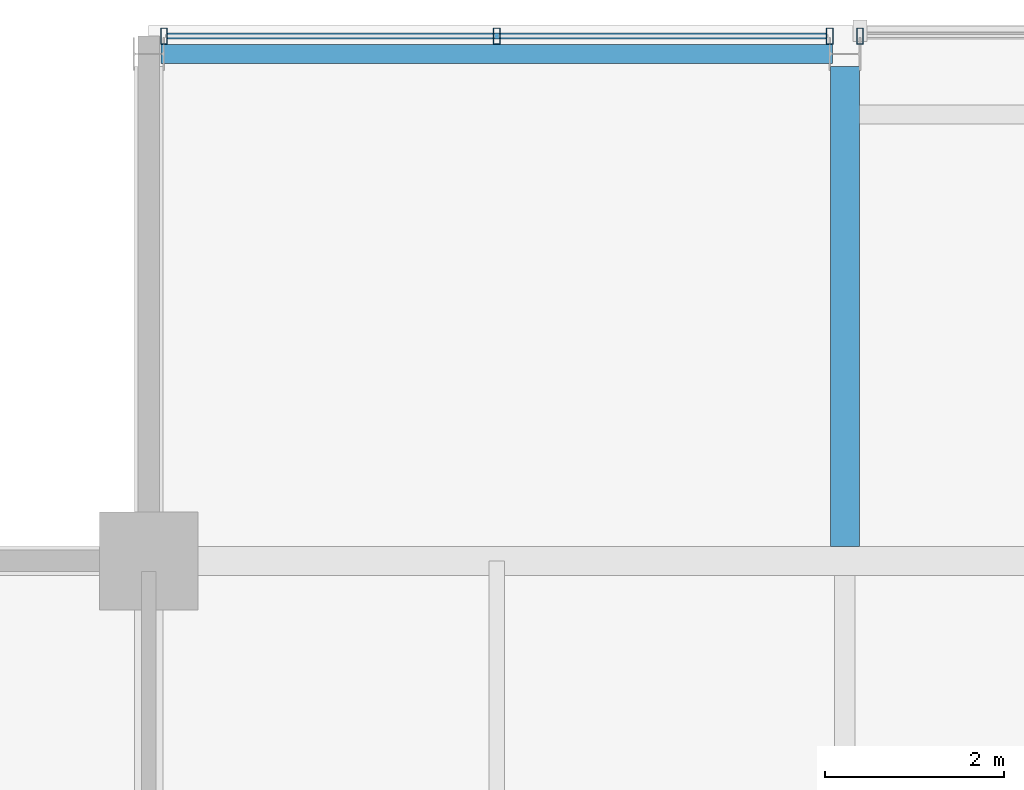
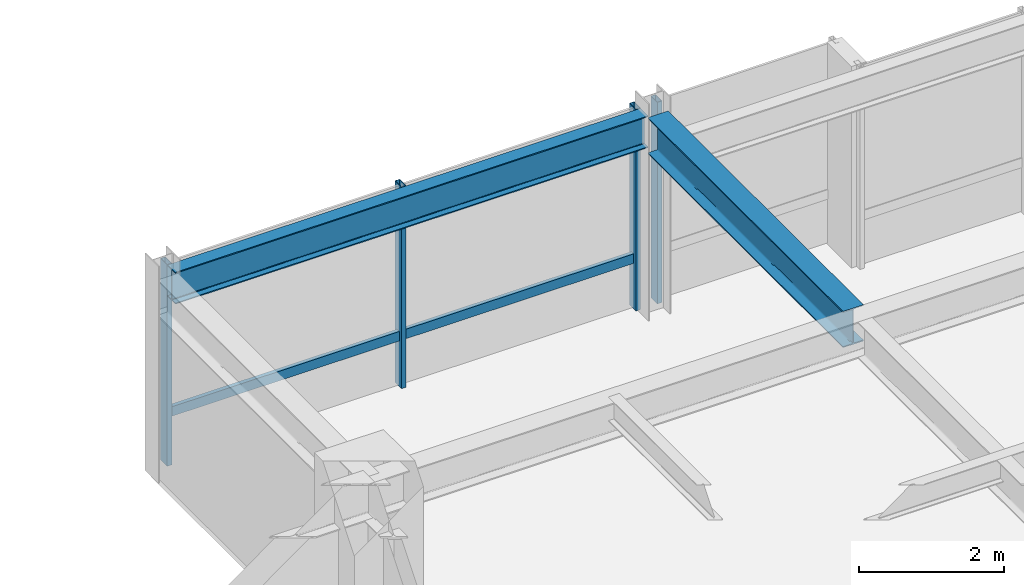
# One storey, part 21 of 33: 5 members, 2 beams, 2 elements without a shape of their own.
"""IFC4 building model written with IfcOpenShell, lengths in metres."""

from ifc_helpers import new_model, si_unit, direction, frame, origin, origin_2d, place, context, subcontext, project, spatial, hollow_rectangle, i_section, extrude, material, layer, layer_set, material_profile, profile_set, type_object, element, aggregate, save


model = new_model("IFC4")

# Units and contexts
model_context = context("Model", 3, precision=1e-05, world=origin(), true_north=direction((0.0, 1.0)))
body_context = subcontext(model_context, "Body", "Model", "MODEL_VIEW")
ifc_project = project(units=[si_unit("LENGTHUNIT", "METRE"), si_unit("AREAUNIT", "SQUARE_METRE"), si_unit("VOLUMEUNIT", "CUBIC_METRE"), si_unit("PLANEANGLEUNIT", "RADIAN"), si_unit("MASSUNIT", "GRAM", prefix="KILO")], contexts=[model_context])

# Site, building, storey
site_placement = place(None, origin())
site = spatial("IfcSite", under=ifc_project, at=site_placement, CompositionType="ELEMENT")
building_placement = place(site_placement, origin())
building = spatial("IfcBuilding", under=site, at=building_placement, Name="Drelvath Grand Hotel", CompositionType="ELEMENT")
storey_placement = place(building_placement, frame((0.0, 0.0, 275.949951171875)))
storey = spatial("IfcBuildingStorey", under=building, at=storey_placement, Name="L72", CompositionType="ELEMENT", Elevation=275.949951171875)

# Curtain wall, members
ifc_material_1 = material(Name="Platinum-Mist Anodised Aluminium Frame", Category="aluminium")
ifc_layer = layer(ifc_material_1, 0.199951171875)
ifc_layer_set = layer_set([ifc_layer], Name="Platinum-Mist Anodised Aluminium Frame")
curtain_wall_type = type_object("IfcCurtainWallType", Name="Stick Curtain Wall CW-05 Platinum Mist High-Rise", PredefinedType="NOTDEFINED", material=ifc_layer_set)
curtain_wall_1_placement = place(storey_placement, origin())
curtain_wall_1 = element("IfcCurtainWall", 1, at=curtain_wall_1_placement, inside=storey, type_object=curtain_wall_type, Name="L72 CW-05 Curtain Wall CW05-L72-NW1", PredefinedType="NOTDEFINED")
ifc_material_profile_1 = material_profile(ifc_material_1, hollow_rectangle(XDim=0.06494140625, YDim=0.159912109375, WallThickness=0.00390625, at=origin_2d()), Name="HSS160X65X4")
ifc_profile_set_1 = profile_set([ifc_material_profile_1], Name="Platinum-Mist Anodised Aluminium Frame")
member_type_1 = type_object("IfcMemberType", Name="Curtain Wall Horizontal Transom CW-05 HSS160X65X4", PredefinedType="USERDEFINED", material=ifc_profile_set_1)
member_1_placement = place(storey_placement, frame((-15.989990234375, 49.080078125, 0.84765625), z_axis=(1.0, 0.0, 0.0), x_axis=(0.0, 1.0, 0.0)))
member_1 = element("IfcMember", 2, at=member_1_placement, type_object=member_type_1, Name="CW05-L72-NW1 Sill Transom", ObjectType="TRANSOM", PredefinedType="USERDEFINED", context=body_context, shape_type="SweptSolid", body=[
    extrude(hollow_rectangle(XDim=0.06494140625, YDim=0.159912109375, WallThickness=0.00390625, at=origin_2d()), origin(), (0.0, 0.0, 1.0), 7.3798828125),
])
ifc_material_profile_2 = material_profile(ifc_material_1, hollow_rectangle(XDim=0.074951171875, YDim=0.179931640625, WallThickness=0.0048828125, at=origin_2d()), Name="HSS180X75X5")
ifc_profile_set_2 = profile_set([ifc_material_profile_2], Name="Platinum-Mist Anodised Aluminium Frame")
member_type_2 = type_object("IfcMemberType", Name="Curtain Wall Vertical Mullion CW-05 HSS180X75X5", PredefinedType="MULLION", material=ifc_profile_set_2)
member_2_placement = place(storey_placement, frame((-16.02978515625, 49.080078125, 0.0), z_axis=(0.0, 0.0, 1.0), x_axis=(1.0, 0.0, 0.0)))
member_2 = element("IfcMember", 3, at=member_2_placement, type_object=member_type_2, Name="CW05-L72-NW1 Mullion 1", PredefinedType="MULLION", context=body_context, shape_type="SweptSolid", body=[
    extrude(hollow_rectangle(XDim=0.074951171875, YDim=0.179931640625, WallThickness=0.0048828125, at=origin_2d()), origin(), (0.0, 0.0, 1.0), 3.39013671875),
])
member_3_placement = place(storey_placement, frame((-12.300048828125, 49.080078125, 0.0), z_axis=(0.0, 0.0, 1.0), x_axis=(1.0, 0.0, 0.0)))
member_3 = element("IfcMember", 4, at=member_3_placement, type_object=member_type_2, Name="CW05-L72-NW1 Mullion 2", PredefinedType="MULLION", context=body_context, shape_type="SweptSolid", body=[
    extrude(hollow_rectangle(XDim=0.074951171875, YDim=0.179931640625, WallThickness=0.0048828125, at=origin_2d()), origin(), (0.0, 0.0, 1.0), 3.39013671875),
])
member_4_placement = place(storey_placement, frame((-8.570068359375, 49.080078125, 0.0), z_axis=(0.0, 0.0, 1.0), x_axis=(1.0, 0.0, 0.0)))
member_4 = element("IfcMember", 5, at=member_4_placement, type_object=member_type_2, Name="CW05-L72-NW1 Mullion 3", PredefinedType="MULLION", context=body_context, shape_type="SweptSolid", body=[
    extrude(hollow_rectangle(XDim=0.074951171875, YDim=0.179931640625, WallThickness=0.0048828125, at=origin_2d()), origin(), (0.0, 0.0, 1.0), 3.39013671875),
])
aggregate(curtain_wall_1, [member_2, member_3, member_4, member_1])

# Curtain wall, member
curtain_wall_2_placement = place(storey_placement, origin())
curtain_wall_2 = element("IfcCurtainWall", 6, at=curtain_wall_2_placement, inside=storey, type_object=curtain_wall_type, Name="L72 CW-05 Curtain Wall CW05-L72-NW2", PredefinedType="NOTDEFINED")
member_5_placement = place(storey_placement, frame((-8.22998046875, 49.080078125, 0.0), z_axis=(0.0, 0.0, 1.0), x_axis=(1.0, 0.0, 0.0)))
member_5 = element("IfcMember", 7, at=member_5_placement, type_object=member_type_2, Name="CW05-L72-NW2 Mullion 1", PredefinedType="MULLION", context=body_context, shape_type="SweptSolid", body=[
    extrude(hollow_rectangle(XDim=0.074951171875, YDim=0.179931640625, WallThickness=0.0048828125, at=origin_2d()), origin(), (0.0, 0.0, 1.0), 3.39013671875),
])
aggregate(curtain_wall_2, [member_5])

# Beams
ifc_material_2 = material(Name="Steel ASTM A992 Gr 50", Category="steel")
ifc_material_profile_3 = material_profile(ifc_material_2, i_section(OverallWidth=0.210205078125, OverallDepth=0.53662109375, WebThickness=0.010986328125, FlangeThickness=0.017333984375, FilletRadius=0.01806640625, at=origin_2d()), Name="W21X68")
ifc_profile_set_3 = profile_set([ifc_material_profile_3], Name="Steel ASTM A992 Gr 50")
beam_type_1 = type_object("IfcBeamType", Name="Perimeter Spandrel Beam W21X68", PredefinedType="SPANDREL", material=ifc_profile_set_3)
beam_1_placement = place(storey_placement, frame((-16.06005859375, 48.8798828125, 3.12158203125), z_axis=(1.0, 0.0, 0.0), x_axis=(0.0, 1.0, 0.0)))
element("IfcBeam", 8, at=beam_1_placement, inside=storey, type_object=beam_type_1, Name="L72 Spandrel North W", PredefinedType="SPANDREL", context=body_context, shape_type="SweptSolid", body=[
    extrude(i_section(OverallWidth=0.210205078125, OverallDepth=0.53662109375, WebThickness=0.010986328125, FlangeThickness=0.017333984375, FilletRadius=0.01806640625, at=origin_2d()), origin(), (0.0, 0.0, 1.0), 7.52001953125),
])
ifc_material_profile_4 = material_profile(ifc_material_2, i_section(OverallWidth=0.323974609375, OverallDepth=0.611083984375, WebThickness=0.0126953125, FlangeThickness=0.01904296875, FilletRadius=0.02197265625, at=origin_2d()), Name="W24X104")
ifc_profile_set_4 = profile_set([ifc_material_profile_4], Name="Steel ASTM A992 Gr 50")
beam_type_2 = type_object("IfcBeamType", Name="Primary Floor Girder W24X104", PredefinedType="BEAM", material=ifc_profile_set_4)
beam_2_placement = place(storey_placement, frame((-8.39990234375, 43.362060546875, 3.08447265625), z_axis=(0.0, 1.0, 0.0), x_axis=(-1.0, 0.0, 0.0)))
element("IfcBeam", 9, at=beam_2_placement, inside=storey, type_object=beam_type_2, Name="L72 North Wing Girder 4", PredefinedType="BEAM", context=body_context, shape_type="SweptSolid", body=[
    extrude(i_section(OverallWidth=0.323974609375, OverallDepth=0.611083984375, WebThickness=0.0126953125, FlangeThickness=0.01904296875, FilletRadius=0.02197265625, at=origin_2d()), origin(), (0.0, 0.0, 1.0), 5.3779296875),
])

save(model, "model.ifc")
